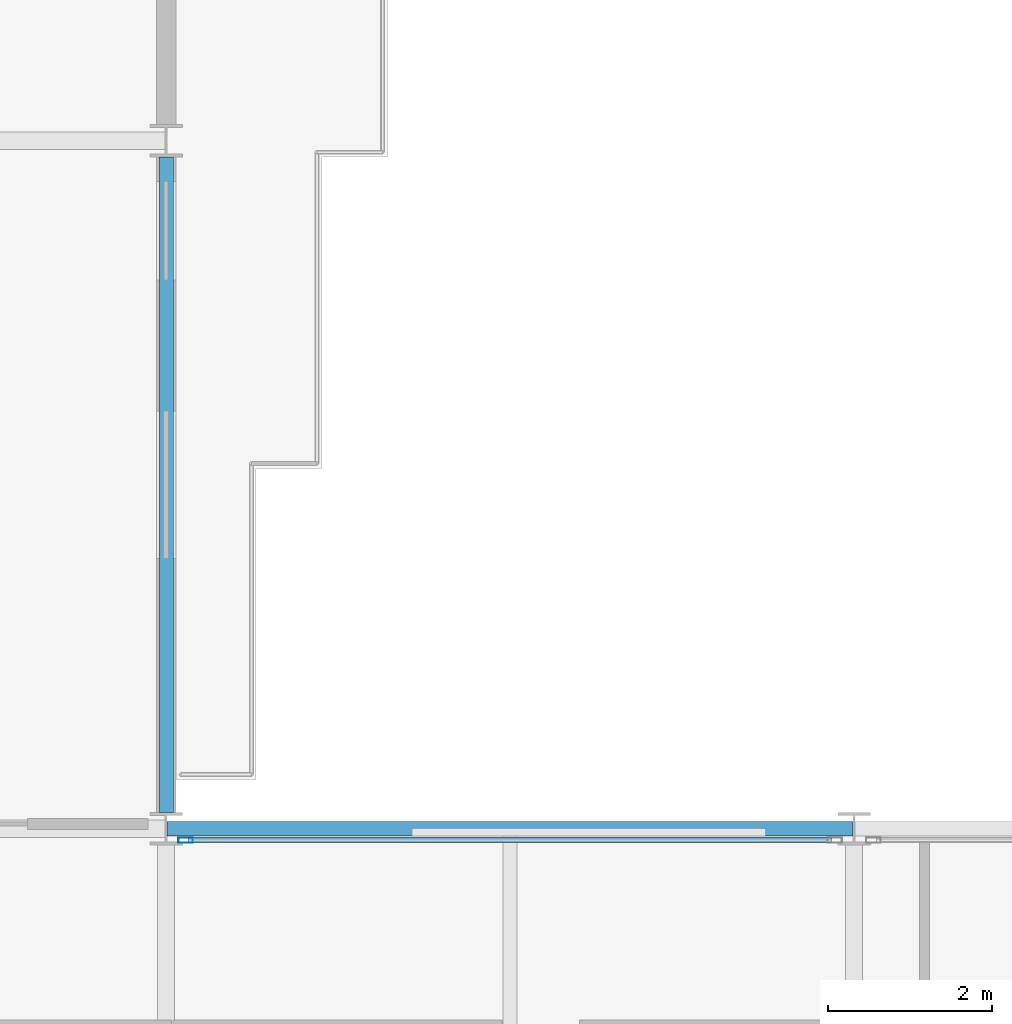
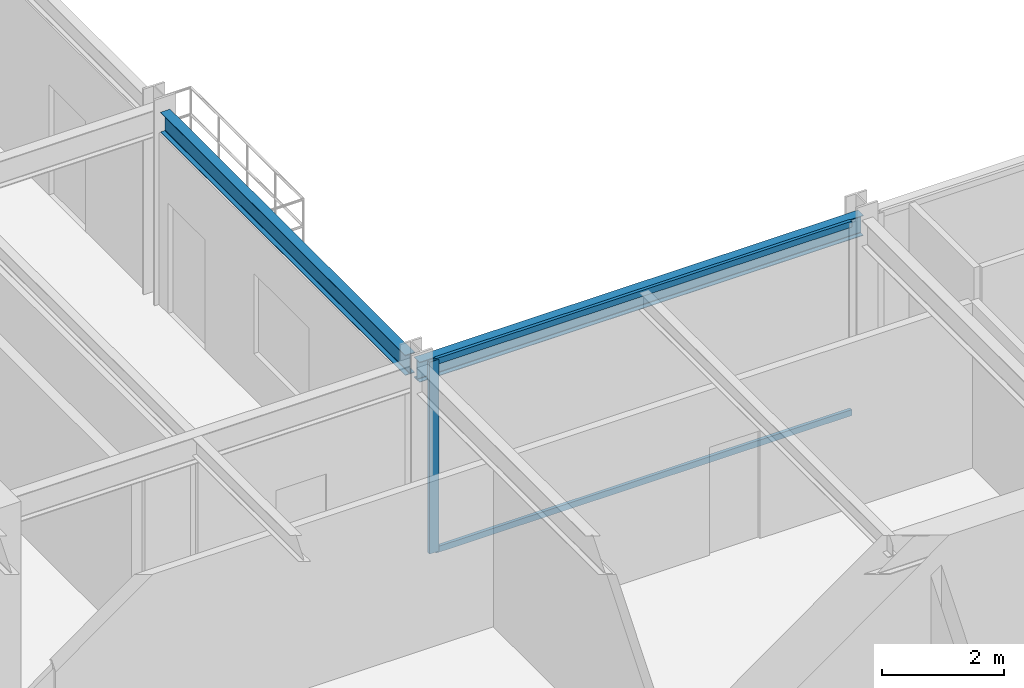
# One storey, part 12 of 29: 3 members, 2 beams, 1 element without a shape of its own.
"""IFC4 building model written with IfcOpenShell, lengths in metres."""

from ifc_helpers import new_model, si_unit, direction, frame, origin, origin_2d, place, context, subcontext, project, spatial, hollow_rectangle, i_section, extrude, material, layer, layer_set, material_profile, profile_set, type_object, element, aggregate, save


model = new_model("IFC4")

# Units and contexts
model_context = context("Model", 3, precision=1e-05, world=origin(), true_north=direction((0.0, 1.0)))
body_context = subcontext(model_context, "Body", "Model", "MODEL_VIEW")
ifc_project = project(units=[si_unit("LENGTHUNIT", "METRE"), si_unit("AREAUNIT", "SQUARE_METRE"), si_unit("VOLUMEUNIT", "CUBIC_METRE"), si_unit("PLANEANGLEUNIT", "RADIAN"), si_unit("MASSUNIT", "GRAM", prefix="KILO")], contexts=[model_context])

# Site, building, storey
site_placement = place(None, origin())
site = spatial("IfcSite", under=ifc_project, at=site_placement, CompositionType="ELEMENT")
building_placement = place(site_placement, origin())
building = spatial("IfcBuilding", under=site, at=building_placement, Name="Nerrivon Quay Data Exchange", CompositionType="ELEMENT")
storey_placement = place(building_placement, frame((0.0, 0.0, 125.39990234375)))
storey = spatial("IfcBuildingStorey", under=building, at=storey_placement, Name="L29", CompositionType="ELEMENT", Elevation=125.39990234375)

# Beams
ifc_material_1 = material(Name="Steel Grade 350", Category="steel")
ifc_material_profile_1 = material_profile(ifc_material_1, i_section(OverallWidth=0.177978515625, OverallDepth=0.403076171875, WebThickness=0.007568359375, FlangeThickness=0.010986328125, FilletRadius=0.011474609375, at=origin_2d()), Name="410UB53.7")
ifc_profile_set_1 = profile_set([ifc_material_profile_1], Name="Steel Grade 350")
beam_type = type_object("IfcBeamType", Name="BM-SP2-410UB54", PredefinedType="SPANDREL", material=ifc_profile_set_1)
beam_1_placement = place(storey_placement, frame((25.21240234375, 25.199951171875, 3.62353515625), z_axis=(1.0, 0.0, 0.0), x_axis=(0.0, 1.0, 0.0)))
element("IfcBeam", 1, at=beam_1_placement, inside=storey, type_object=beam_type, Name="L29 EW Girder Y=25.2 (25.2..33.6)", PredefinedType="SPANDREL", context=body_context, shape_type="SweptSolid", body=[
    extrude(i_section(OverallWidth=0.177978515625, OverallDepth=0.403076171875, WebThickness=0.007568359375, FlangeThickness=0.010986328125, FilletRadius=0.011474609375, at=origin_2d()), origin(), (0.0, 0.0, 1.0), 8.375),
])
beam_2_placement = place(storey_placement, frame((25.199951171875, 25.39990234375, 3.62353515625), z_axis=(0.0, 1.0, 0.0), x_axis=(-1.0, 0.0, 0.0)))
element("IfcBeam", 2, at=beam_2_placement, inside=storey, type_object=beam_type, Name="L29 NS Girder X=25.2 (25.2..33.6)", PredefinedType="SPANDREL", context=body_context, shape_type="SweptSolid", body=[
    extrude(i_section(OverallWidth=0.177978515625, OverallDepth=0.403076171875, WebThickness=0.007568359375, FlangeThickness=0.010986328125, FilletRadius=0.011474609375, at=origin_2d()), origin(), (0.0, 0.0, 1.0), 8.0),
])

# Curtain wall, members
ifc_material_2 = material(Name="Anodised aluminium 6063-T6", Category="aluminium")
ifc_layer = layer(ifc_material_2, 0.2099609375)
ifc_layer_set = layer_set([ifc_layer], Name="Anodised aluminium 6063-T6")
curtain_wall_type = type_object("IfcCurtainWallType", Name="CW-SYS-02", PredefinedType="NOTDEFINED", material=ifc_layer_set)
curtain_wall_placement = place(storey_placement, origin())
curtain_wall = element("IfcCurtainWall", 3, at=curtain_wall_placement, inside=storey, type_object=curtain_wall_type, Name="L29 Unitised Curtain Wall 26", PredefinedType="NOTDEFINED")
ifc_material_profile_2 = material_profile(ifc_material_2, hollow_rectangle(XDim=0.06494140625, YDim=0.179931640625, WallThickness=0.00341796875, at=origin_2d()), Name="ALU-MULL-180x65")
ifc_profile_set_2 = profile_set([ifc_material_profile_2], Name="Anodised aluminium 6063-T6")
member_type_1 = type_object("IfcMemberType", Name="CWM-180x65", PredefinedType="MULLION", material=ifc_profile_set_2)
member_1_placement = place(storey_placement, frame((25.4375, 25.06005859375, 0.0), z_axis=(0.0, 0.0, 1.0), x_axis=(0.0, 1.0, 0.0)))
member_1 = element("IfcMember", 4, at=member_1_placement, type_object=member_type_1, Name="CW02 mullion 1", PredefinedType="MULLION", context=body_context, shape_type="SweptSolid", body=[
    extrude(hollow_rectangle(XDim=0.06494140625, YDim=0.179931640625, WallThickness=0.00341796875, at=origin_2d()), origin(), (0.0, 0.0, 1.0), 3.8251953125),
])
ifc_material_profile_3 = material_profile(ifc_material_2, hollow_rectangle(XDim=0.06005859375, YDim=0.1201171875, WallThickness=0.003173828125, at=origin_2d()), Name="ALU-TRAN-120x60")
ifc_profile_set_3 = profile_set([ifc_material_profile_3], Name="Anodised aluminium 6063-T6")
member_type_2 = type_object("IfcMemberType", Name="CWT-120x60", PredefinedType="USERDEFINED", material=ifc_profile_set_3)
member_2_placement = place(storey_placement, frame((25.47509765625, 25.06005859375, 0.03271484375), z_axis=(1.0, 0.0, 0.0), x_axis=(0.0, 1.0, 0.0)))
member_2 = element("IfcMember", 5, at=member_2_placement, type_object=member_type_2, Name="CW02 transom 1.1", ObjectType="TRANSOM", PredefinedType="USERDEFINED", context=body_context, shape_type="SweptSolid", body=[
    extrude(hollow_rectangle(XDim=0.06005859375, YDim=0.1201171875, WallThickness=0.003173828125, at=origin_2d()), origin(), (0.0, 0.0, 1.0), 7.849853515625),
])
member_3_placement = place(storey_placement, frame((25.47509765625, 25.06005859375, 3.79248046875), z_axis=(1.0, 0.0, 0.0), x_axis=(0.0, 1.0, 0.0)))
member_3 = element("IfcMember", 6, at=member_3_placement, type_object=member_type_2, Name="CW02 transom 1.2", ObjectType="TRANSOM", PredefinedType="USERDEFINED", context=body_context, shape_type="SweptSolid", body=[
    extrude(hollow_rectangle(XDim=0.06005859375, YDim=0.1201171875, WallThickness=0.003173828125, at=origin_2d()), origin(), (0.0, 0.0, 1.0), 7.849853515625),
])
aggregate(curtain_wall, [member_1, member_2, member_3])

save(model, "model.ifc")
